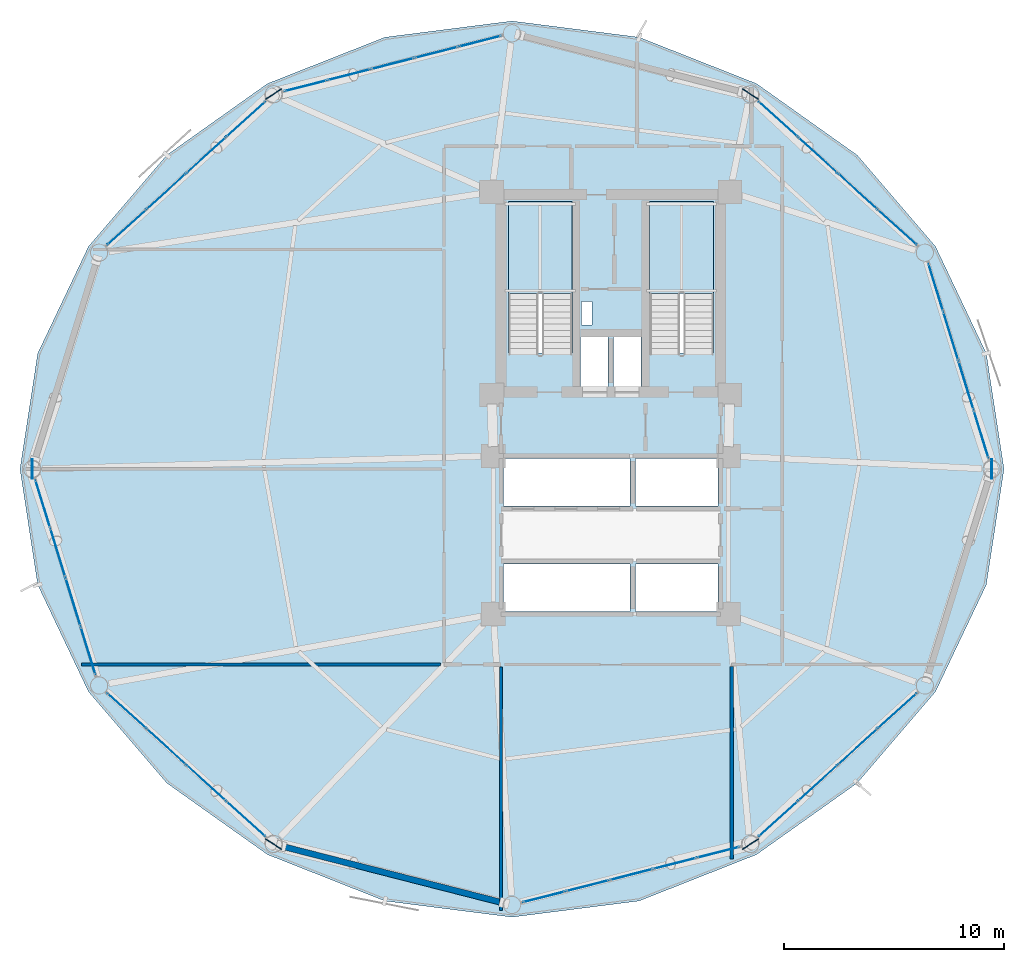
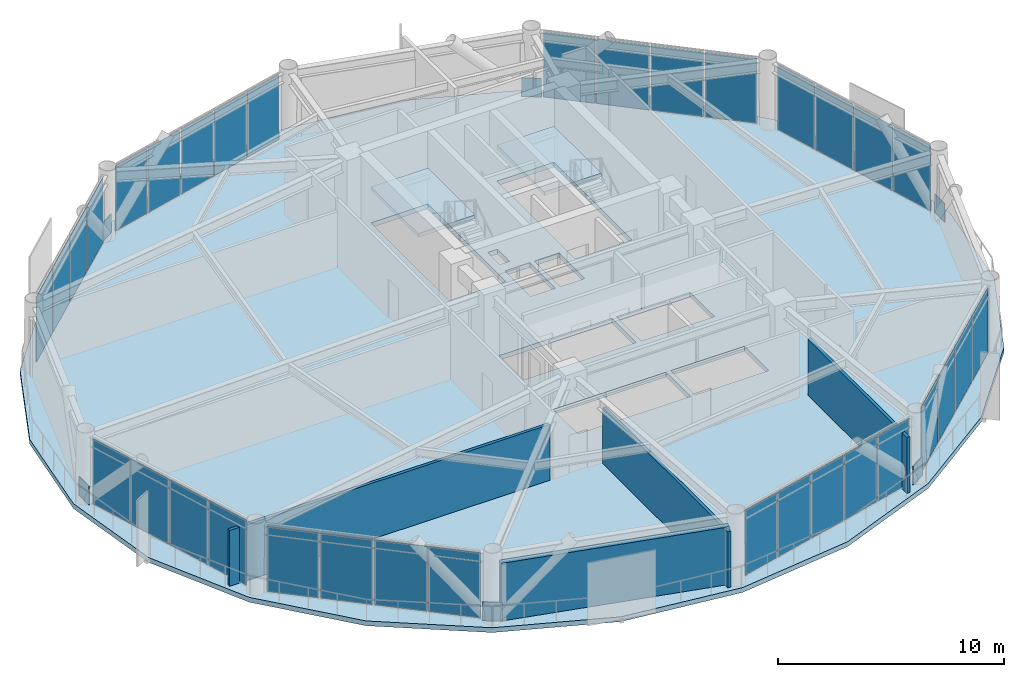
# One storey, part 20 of 26: 40 plates, 4 walls, 3 slabs, 10 elements without a shape of their own.
"""IFC4 building model written with IfcOpenShell, lengths in metres."""

from ifc_helpers import new_model, si_unit, direction, frame, frame_2d, origin, origin_2d, place, context, subcontext, project, spatial, polyline, rectangle, outline, extrude, source, transform, mapped, material, layer, layer_set, type_object, type_shapes, element, aggregate, save


model = new_model("IFC4")

# Units and contexts
model_context = context("Model", 3, precision=1e-05, world=origin(), true_north=direction((0.0, 1.0)))
body_context = subcontext(model_context, "Body", "Model", "MODEL_VIEW")
ifc_project = project(units=[si_unit("LENGTHUNIT", "METRE"), si_unit("AREAUNIT", "SQUARE_METRE"), si_unit("VOLUMEUNIT", "CUBIC_METRE"), si_unit("PLANEANGLEUNIT", "RADIAN"), si_unit("MASSUNIT", "GRAM", prefix="KILO")], contexts=[model_context])

# Site, building, storey
site_placement = place(None, origin())
site = spatial("IfcSite", under=ifc_project, at=site_placement, CompositionType="ELEMENT")
building_placement = place(site_placement, origin())
building = spatial("IfcBuilding", under=site, at=building_placement, Name="Varnakorn Sky Granary", CompositionType="ELEMENT")
storey_placement = place(building_placement, frame((0.0, 0.0, 87.60009765625)))
storey = spatial("IfcBuildingStorey", under=building, at=storey_placement, Name="L21", CompositionType="ELEMENT", Elevation=87.60009765625)

# Plates
ifc_material_1 = material(Name="Steel S460M", Category="steel")
ifc_layer_1 = layer(ifc_material_1, 0.0400390625, Name="Steel S460M")
ifc_layer_set_1 = layer_set([ifc_layer_1], Name="Steel S460M")
plate_type_1 = type_object("IfcPlateType", Name="PL-NODE-KN2", PredefinedType="SHEET", material=ifc_layer_set_1)
for number, where, z_axis, x_axis, name in (
    (1, (20.35009765625, 0.0, 0.0), (0.0, 0.0, 1.0), (0.0, 1.0, 0.0), "Diagrid Node Gusset Assembly KN2 L21-1"),
    (2, (9.357421875, 17.07373046875, 0.0), (0.0, 0.0, 1.0), (-0.843831169511, 0.536608756322, 0.0), "Diagrid Node Gusset Assembly KN2 L21-3"),
    (3, (-12.357421875, 17.07373046875, 0.0), (0.0, 0.0, 1.0), (-0.843831169511, -0.536608756322, 0.0), "Diagrid Node Gusset Assembly KN2 L21-5"),
    (4, (-23.35009765625, 0.0, 0.0), (0.0, 0.0, 1.0), (0.0, -1.0, 0.0), "Diagrid Node Gusset Assembly KN2 L21-7"),
    (5, (-12.357421875, -17.07373046875, 0.0), (0.0, 0.0, 1.0), (0.843831169511, -0.536608756322, 0.0), "Diagrid Node Gusset Assembly KN2 L21-9"),
    (6, (9.357421875, -17.07373046875, 0.0), (0.0, 0.0, 1.0), (0.843831169511, 0.536608756322, 0.0), "Diagrid Node Gusset Assembly KN2 L21-11"),
):
    element("IfcPlate", number, at=place(storey_placement, frame(where, z_axis=z_axis, x_axis=x_axis)), inside=storey, type_object=plate_type_1, Name=name, PredefinedType="SHEET", context=body_context, shape_type="SweptSolid", body=[
        extrude(rectangle(XDim=0.8798828125, YDim=0.0400390625, at=origin_2d()), origin(), (0.0, 0.0, 1.0), 1.0),
    ])

# Stair, slab
ifc_material_2 = material(Name="Concrete C40/50", Category="concrete")
stair_type = type_object("IfcStairType", Name="ST-MAIN-ASSEMBLY", PredefinedType="HALF_TURN_STAIR", material=ifc_material_2)
stair_1_placement = place(storey_placement, origin())
stair_1 = element("IfcStair", 7, at=stair_1_placement, inside=storey, type_object=stair_type, Name="L21 Protected Exit Stair ST-1", PredefinedType="HALF_TURN_STAIR")
ifc_layer_2 = layer(ifc_material_2, 0.199951171875, Name="Concrete C40/50")
ifc_layer_set_2 = layer_set([ifc_layer_2], Name="Concrete C40/50")
slab_type_1 = type_object("IfcSlabType", Name="ST-MAIN-LAND", PredefinedType="LANDING", material=ifc_layer_set_2)
slab_1_placement = place(storey_placement, frame((0.0, 0.0, 1.75)))
slab_1 = element("IfcSlab", 8, at=slab_1_placement, type_object=slab_type_1, Name="ST-1 landing 1", PredefinedType="LANDING", context=body_context, shape_type="SweptSolid", body=[
    extrude(outline(polyline([(1.239990234375, 8.0), (1.239990234375, 12.179931640625), (-1.669921875, 12.179931640625), (-1.669921875, 8.0), (1.239990234375, 8.0)])), origin(), (0.0, 0.0, 1.0), 0.199951171875),
])
aggregate(stair_1, [slab_1])

stair_2_placement = place(storey_placement, origin())
stair_2 = element("IfcStair", 9, at=stair_2_placement, inside=storey, type_object=stair_type, Name="L21 Protected Exit Stair ST-2", PredefinedType="HALF_TURN_STAIR")
slab_2_placement = place(storey_placement, frame((0.0, 0.0, 1.75)))
slab_2 = element("IfcSlab", 10, at=slab_2_placement, type_object=slab_type_1, Name="ST-2 landing 1", PredefinedType="LANDING", context=body_context, shape_type="SweptSolid", body=[
    extrude(outline(polyline([(7.679931640625, 8.0), (7.679931640625, 12.179931640625), (4.77001953125, 12.179931640625), (4.77001953125, 8.0), (7.679931640625, 8.0)])), origin(), (0.0, 0.0, 1.0), 0.199951171875),
])
aggregate(stair_2, [slab_2])

# Slab
ifc_material_3 = material(Name="Concrete C50/60", Category="concrete")
ifc_layer_3 = layer(ifc_material_3, 0.260009765625, Name="Concrete C50/60")
ifc_layer_set_3 = layer_set([ifc_layer_3], Name="Concrete C50/60")
slab_type_2 = type_object("IfcSlabType", Name="ST-SL-TWR-260", PredefinedType="FLOOR", material=ifc_layer_set_3)
slab_3_placement = place(storey_placement, frame((0.0, 0.0, -0.260009765625)))
element("IfcSlab", 11, at=slab_3_placement, inside=storey, type_object=slab_type_2, Name="Level L21 Structural Floor Slab", PredefinedType="FLOOR", context=body_context, shape_type="SweptSolid", body=[
    extrude(outline(polyline([(20.89990234375, 0.0), (20.09326171875, 5.268310546875), (17.781982421875, 10.132568359375), (14.2119140625, 14.297607421875), (9.632568359375, 17.550048828125), (4.285888671875, 19.661376953125), (-1.5, 20.39990234375), (-7.285888671875, 19.661376953125), (-12.632568359375, 17.550048828125), (-17.2119140625, 14.297607421875), (-20.781982421875, 10.132568359375), (-23.09326171875, 5.268310546875), (-23.89990234375, 0.0), (-23.09326171875, -5.268310546875), (-20.781982421875, -10.132568359375), (-17.2119140625, -14.297607421875), (-12.632568359375, -17.550048828125), (-7.285888671875, -19.661376953125), (-1.5, -20.39990234375), (4.285888671875, -19.661376953125), (9.632568359375, -17.550048828125), (14.2119140625, -14.297607421875), (17.781982421875, -10.132568359375), (20.09326171875, -5.268310546875), (20.89990234375, 0.0)]), holes=[polyline([(1.239990234375, 5.27490234375), (1.239990234375, 12.179931640625), (-1.669921875, 12.179931640625), (-1.669921875, 5.27490234375), (1.239990234375, 5.27490234375)]), polyline([(7.679931640625, 5.27490234375), (7.679931640625, 12.179931640625), (4.77001953125, 12.179931640625), (4.77001953125, 5.27490234375), (7.679931640625, 5.27490234375)]), polyline([(1.659912109375, 6.550048828125), (2.14990234375, 6.550048828125), (2.14990234375, 7.6201171875), (1.659912109375, 7.6201171875), (1.659912109375, 6.550048828125)]), polyline([(1.6201171875, 3.739990234375), (2.8798828125, 3.739990234375), (2.8798828125, 6.010009765625), (1.6201171875, 6.010009765625), (1.6201171875, 3.739990234375)]), polyline([(3.1201171875, 3.739990234375), (4.3798828125, 3.739990234375), (4.3798828125, 6.010009765625), (3.1201171875, 6.010009765625), (3.1201171875, 3.739990234375)]), polyline([(-1.8798828125, -1.679931640625), (3.8798828125, -1.679931640625), (3.8798828125, 0.47998046875), (-1.8798828125, 0.47998046875), (-1.8798828125, -1.679931640625)]), polyline([(4.1201171875, -1.679931640625), (7.8798828125, -1.679931640625), (7.8798828125, 0.47998046875), (4.1201171875, 0.47998046875), (4.1201171875, -1.679931640625)]), polyline([(-1.8798828125, -6.47998046875), (3.8798828125, -6.47998046875), (3.8798828125, -4.320068359375), (-1.8798828125, -4.320068359375), (-1.8798828125, -6.47998046875)]), polyline([(4.1201171875, -6.47998046875), (7.8798828125, -6.47998046875), (7.8798828125, -4.320068359375), (4.1201171875, -4.320068359375), (4.1201171875, -6.47998046875)])]), origin(), (0.0, 0.0, 1.0), 0.260009765625),
])

# Curtain wall, plates
ifc_material_4 = material(Name="Anodised Bronze Aluminium Alloy 6063-T6", Category="aluminium")
ifc_layer_4 = layer(ifc_material_4, 0.18994140625, Name="Anodised Bronze Aluminium Alloy 6063-T6")
ifc_layer_set_4 = layer_set([ifc_layer_4], Name="Anodised Bronze Aluminium Alloy 6063-T6")
curtain_wall_type = type_object("IfcCurtainWallType", Name="CW-FRM-1", PredefinedType="USERDEFINED", material=ifc_layer_set_4)
curtain_wall_1_placement = place(storey_placement, origin())
curtain_wall_1 = element("IfcCurtainWall", 12, at=curtain_wall_1_placement, inside=storey, type_object=curtain_wall_type, Name="Unitised Curtain Wall CW3 CW-L21-B01", ObjectType="CURTAIN WALL", PredefinedType="USERDEFINED")
ifc_material_5 = material(Name="Low-E Tinted Laminated Glass", Category="glass")
ifc_layer_5 = layer(ifc_material_5, 0.028076171875, Name="Low-E Tinted Laminated Glass")
ifc_layer_set_5 = layer_set([ifc_layer_5], Name="Low-E Tinted Laminated Glass")
plate_type_2 = type_object("IfcPlateType", Name="CW-FRM-1-PNL", PredefinedType="CURTAIN_PANEL")
shared_shape_1 = source(origin(), body_context, "Body", "SweptSolid", [
    extrude(rectangle(XDim=2.240966796875, YDim=0.028076171875, at=origin_2d()), origin(), (0.0, 0.0, 1.0), 3.5),
])
plate_1_placement = place(storey_placement, frame((17.794677734375, 8.2744140625, 0.06982421875), z_axis=(0.0, 0.0, 1.0), x_axis=(0.295068917394, -0.955475972481, 0.0)))
plate_1 = element("IfcPlate", 13, at=plate_1_placement, type_object=plate_type_2, material=ifc_layer_set_5, Name="CW3 vision glazing unit 1.1", PredefinedType="CURTAIN_PANEL", context=body_context, shape_type="MappedRepresentation", body=[
    mapped(shared_shape_1, transform((0.0, 0.0, 0.0), x_axis=(1.0, 0.0, 0.0), y_axis=(0.0, 1.0, 0.0), z_axis=(0.0, 0.0, 1.0), scale=1.0)),
])
ifc_material_6 = material(Name="Opaque Insulated Aluminium Shadow-Box Unit", Category="aluminium")
ifc_layer_6 = layer(ifc_material_6, 0.028076171875, Name="Opaque Insulated Aluminium Shadow-Box Unit")
ifc_layer_set_6 = layer_set([ifc_layer_6], Name="Opaque Insulated Aluminium Shadow-Box Unit")
plate_2_placement = place(storey_placement, frame((19.861083984375, 1.583251953125, 0.06982421875), z_axis=(0.0, 0.0, 1.0), x_axis=(0.295068917394, -0.955475972481, 0.0)))
plate_2 = element("IfcPlate", 14, at=plate_2_placement, type_object=plate_type_2, material=ifc_layer_set_6, Name="CW3 opaque insulated shadow-box unit 4.1", PredefinedType="CURTAIN_PANEL", context=body_context, shape_type="MappedRepresentation", body=[
    mapped(shared_shape_1, transform((0.0, 0.0, 0.0), x_axis=(1.0, 0.0, 0.0), y_axis=(0.0, 1.0, 0.0), z_axis=(0.0, 0.0, 1.0), scale=1.0)),
])

curtain_wall_2_placement = place(storey_placement, origin())
curtain_wall_2 = element("IfcCurtainWall", 15, at=curtain_wall_2_placement, inside=storey, type_object=curtain_wall_type, Name="Unitised Curtain Wall CW3 CW-L21-B07", ObjectType="CURTAIN WALL", PredefinedType="USERDEFINED")
plate_3_placement = place(storey_placement, frame((-20.794677734375, -8.2744140625, 0.06982421875), z_axis=(0.0, 0.0, 1.0), x_axis=(-0.295068917394, 0.955475972481, 0.0)))
plate_3 = element("IfcPlate", 16, at=plate_3_placement, type_object=plate_type_2, material=ifc_layer_set_5, Name="CW3 vision glazing unit 1.1", PredefinedType="CURTAIN_PANEL", context=body_context, shape_type="MappedRepresentation", body=[
    mapped(shared_shape_1, transform((0.0, 0.0, 0.0), x_axis=(1.0, 0.0, 0.0), y_axis=(0.0, 1.0, 0.0), z_axis=(0.0, 0.0, 1.0), scale=1.0)),
])
plate_4_placement = place(storey_placement, frame((-22.861083984375, -1.583251953125, 0.06982421875), z_axis=(0.0, 0.0, 1.0), x_axis=(-0.295068917394, 0.955475972481, 0.0)))
plate_4 = element("IfcPlate", 17, at=plate_4_placement, type_object=plate_type_2, material=ifc_layer_set_6, Name="CW3 opaque insulated shadow-box unit 4.1", PredefinedType="CURTAIN_PANEL", context=body_context, shape_type="MappedRepresentation", body=[
    mapped(shared_shape_1, transform((0.0, 0.0, 0.0), x_axis=(1.0, 0.0, 0.0), y_axis=(0.0, 1.0, 0.0), z_axis=(0.0, 0.0, 1.0), scale=1.0)),
])

# Plate
shared_shape_2 = source(origin(), body_context, "Body", "SweptSolid", [
    extrude(rectangle(XDim=2.27587890625, YDim=0.028076171875, at=origin_2d()), origin(), (0.0, 0.0, 1.0), 3.5),
])
plate_5_placement = place(storey_placement, frame((18.481689453125, 6.049560546875, 0.06982421875), z_axis=(0.0, 0.0, 1.0), x_axis=(0.295068917394, -0.955475972481, 0.0)))
plate_5 = element("IfcPlate", 18, at=plate_5_placement, type_object=plate_type_2, material=ifc_layer_set_5, Name="CW3 vision glazing unit 2.1", PredefinedType="CURTAIN_PANEL", context=body_context, shape_type="MappedRepresentation", body=[
    mapped(shared_shape_2, transform((0.0, 0.0, 0.0), x_axis=(1.0, 0.0, 0.0), y_axis=(0.0, 1.0, 0.0), z_axis=(0.0, 0.0, 1.0), scale=1.0)),
])

plate_6_placement = place(storey_placement, frame((19.174072265625, 3.80810546875, 0.06982421875), z_axis=(0.0, 0.0, 1.0), x_axis=(0.295068917394, -0.955475972481, 0.0)))
plate_6 = element("IfcPlate", 19, at=plate_6_placement, type_object=plate_type_2, material=ifc_layer_set_6, Name="CW3 opaque insulated shadow-box unit 3.1", PredefinedType="CURTAIN_PANEL", context=body_context, shape_type="MappedRepresentation", body=[
    mapped(shared_shape_2, transform((0.0, 0.0, 0.0), x_axis=(1.0, 0.0, 0.0), y_axis=(0.0, 1.0, 0.0), z_axis=(0.0, 0.0, 1.0), scale=1.0)),
])

aggregate(curtain_wall_1, [plate_1, plate_5, plate_6, plate_2])

plate_7_placement = place(storey_placement, frame((-21.481689453125, -6.049560546875, 0.06982421875), z_axis=(0.0, 0.0, 1.0), x_axis=(-0.295068917394, 0.955475972481, 0.0)))
plate_7 = element("IfcPlate", 20, at=plate_7_placement, type_object=plate_type_2, material=ifc_layer_set_5, Name="CW3 vision glazing unit 2.1", PredefinedType="CURTAIN_PANEL", context=body_context, shape_type="MappedRepresentation", body=[
    mapped(shared_shape_2, transform((0.0, 0.0, 0.0), x_axis=(1.0, 0.0, 0.0), y_axis=(0.0, 1.0, 0.0), z_axis=(0.0, 0.0, 1.0), scale=1.0)),
])

plate_8_placement = place(storey_placement, frame((-22.174072265625, -3.80810546875, 0.06982421875), z_axis=(0.0, 0.0, 1.0), x_axis=(-0.295068917394, 0.955475972481, 0.0)))
plate_8 = element("IfcPlate", 21, at=plate_8_placement, type_object=plate_type_2, material=ifc_layer_set_6, Name="CW3 opaque insulated shadow-box unit 3.1", PredefinedType="CURTAIN_PANEL", context=body_context, shape_type="MappedRepresentation", body=[
    mapped(shared_shape_2, transform((0.0, 0.0, 0.0), x_axis=(1.0, 0.0, 0.0), y_axis=(0.0, 1.0, 0.0), z_axis=(0.0, 0.0, 1.0), scale=1.0)),
])

aggregate(curtain_wall_2, [plate_3, plate_7, plate_8, plate_4])

# Curtain wall, plates
curtain_wall_3_placement = place(storey_placement, origin())
curtain_wall_3 = element("IfcCurtainWall", 22, at=curtain_wall_3_placement, inside=storey, type_object=curtain_wall_type, Name="Unitised Curtain Wall CW3 CW-L21-B02", ObjectType="CURTAIN WALL", PredefinedType="USERDEFINED")
shared_shape_3 = source(origin(), body_context, "Body", "SweptSolid", [
    extrude(rectangle(XDim=2.345458984375, YDim=0.028076171875, at=origin_2d()), origin(), (0.0, 0.0, 1.0), 3.5),
])
plate_9_placement = place(storey_placement, frame((10.623046875, 15.9248046875, 0.06982421875), z_axis=(0.0, 0.0, 1.0), x_axis=(0.74037845093, -0.672190262797, 0.0)))
plate_9 = element("IfcPlate", 23, at=plate_9_placement, type_object=plate_type_2, material=ifc_layer_set_6, Name="CW3 opaque insulated shadow-box unit 1.1", PredefinedType="CURTAIN_PANEL", context=body_context, shape_type="MappedRepresentation", body=[
    mapped(shared_shape_3, transform((0.0, 0.0, 0.0), x_axis=(1.0, 0.0, 0.0), y_axis=(0.0, 1.0, 0.0), z_axis=(0.0, 0.0, 1.0), scale=1.0)),
])
plate_10_placement = place(storey_placement, frame((16.040283203125, 11.006591796875, 0.06982421875), z_axis=(0.0, 0.0, 1.0), x_axis=(0.74037845093, -0.672190262797, 0.0)))
plate_10 = element("IfcPlate", 24, at=plate_10_placement, type_object=plate_type_2, material=ifc_layer_set_5, Name="CW3 vision glazing unit 4.1", PredefinedType="CURTAIN_PANEL", context=body_context, shape_type="MappedRepresentation", body=[
    mapped(shared_shape_3, transform((0.0, 0.0, 0.0), x_axis=(1.0, 0.0, 0.0), y_axis=(0.0, 1.0, 0.0), z_axis=(0.0, 0.0, 1.0), scale=1.0)),
])

curtain_wall_4_placement = place(storey_placement, origin())
curtain_wall_4 = element("IfcCurtainWall", 25, at=curtain_wall_4_placement, inside=storey, type_object=curtain_wall_type, Name="Unitised Curtain Wall CW3 CW-L21-B05", ObjectType="CURTAIN WALL", PredefinedType="USERDEFINED")
plate_11_placement = place(storey_placement, frame((-19.040283203125, 11.006591796875, 0.06982421875), z_axis=(0.0, 0.0, 1.0), x_axis=(0.74037845093, 0.672190262797, 0.0)))
plate_11 = element("IfcPlate", 26, at=plate_11_placement, type_object=plate_type_2, material=ifc_layer_set_5, Name="CW3 vision glazing unit 1.1", PredefinedType="CURTAIN_PANEL", context=body_context, shape_type="MappedRepresentation", body=[
    mapped(shared_shape_3, transform((0.0, 0.0, 0.0), x_axis=(1.0, 0.0, 0.0), y_axis=(0.0, 1.0, 0.0), z_axis=(0.0, 0.0, 1.0), scale=1.0)),
])
plate_12_placement = place(storey_placement, frame((-13.623046875, 15.9248046875, 0.06982421875), z_axis=(0.0, 0.0, 1.0), x_axis=(0.74037845093, 0.672190262797, 0.0)))
plate_12 = element("IfcPlate", 27, at=plate_12_placement, type_object=plate_type_2, material=ifc_layer_set_6, Name="CW3 opaque insulated shadow-box unit 4.1", PredefinedType="CURTAIN_PANEL", context=body_context, shape_type="MappedRepresentation", body=[
    mapped(shared_shape_3, transform((0.0, 0.0, 0.0), x_axis=(1.0, 0.0, 0.0), y_axis=(0.0, 1.0, 0.0), z_axis=(0.0, 0.0, 1.0), scale=1.0)),
])

curtain_wall_5_placement = place(storey_placement, origin())
curtain_wall_5 = element("IfcCurtainWall", 28, at=curtain_wall_5_placement, inside=storey, type_object=curtain_wall_type, Name="Unitised Curtain Wall CW3 CW-L21-B08", ObjectType="CURTAIN WALL", PredefinedType="USERDEFINED")
plate_13_placement = place(storey_placement, frame((-13.623046875, -15.9248046875, 0.06982421875), z_axis=(0.0, 0.0, 1.0), x_axis=(-0.74037845093, 0.672190262797, 0.0)))
plate_13 = element("IfcPlate", 29, at=plate_13_placement, type_object=plate_type_2, material=ifc_layer_set_6, Name="CW3 opaque insulated shadow-box unit 1.1", PredefinedType="CURTAIN_PANEL", context=body_context, shape_type="MappedRepresentation", body=[
    mapped(shared_shape_3, transform((0.0, 0.0, 0.0), x_axis=(1.0, 0.0, 0.0), y_axis=(0.0, 1.0, 0.0), z_axis=(0.0, 0.0, 1.0), scale=1.0)),
])
plate_14_placement = place(storey_placement, frame((-19.040283203125, -11.006591796875, 0.06982421875), z_axis=(0.0, 0.0, 1.0), x_axis=(-0.74037845093, 0.672190262797, 0.0)))
plate_14 = element("IfcPlate", 30, at=plate_14_placement, type_object=plate_type_2, material=ifc_layer_set_5, Name="CW3 vision glazing unit 4.1", PredefinedType="CURTAIN_PANEL", context=body_context, shape_type="MappedRepresentation", body=[
    mapped(shared_shape_3, transform((0.0, 0.0, 0.0), x_axis=(1.0, 0.0, 0.0), y_axis=(0.0, 1.0, 0.0), z_axis=(0.0, 0.0, 1.0), scale=1.0)),
])

curtain_wall_6_placement = place(storey_placement, origin())
curtain_wall_6 = element("IfcCurtainWall", 31, at=curtain_wall_6_placement, inside=storey, type_object=curtain_wall_type, Name="Unitised Curtain Wall CW3 CW-L21-B11", ObjectType="CURTAIN WALL", PredefinedType="USERDEFINED")
plate_15_placement = place(storey_placement, frame((16.040283203125, -11.006591796875, 0.06982421875), z_axis=(0.0, 0.0, 1.0), x_axis=(-0.74037845093, -0.672190262797, 0.0)))
plate_15 = element("IfcPlate", 32, at=plate_15_placement, type_object=plate_type_2, material=ifc_layer_set_5, Name="CW3 vision glazing unit 1.1", PredefinedType="CURTAIN_PANEL", context=body_context, shape_type="MappedRepresentation", body=[
    mapped(shared_shape_3, transform((0.0, 0.0, 0.0), x_axis=(1.0, 0.0, 0.0), y_axis=(0.0, 1.0, 0.0), z_axis=(0.0, 0.0, 1.0), scale=1.0)),
])
plate_16_placement = place(storey_placement, frame((10.623046875, -15.9248046875, 0.06982421875), z_axis=(0.0, 0.0, 1.0), x_axis=(-0.74037845093, -0.672190262797, 0.0)))
plate_16 = element("IfcPlate", 33, at=plate_16_placement, type_object=plate_type_2, material=ifc_layer_set_6, Name="CW3 opaque insulated shadow-box unit 4.1", PredefinedType="CURTAIN_PANEL", context=body_context, shape_type="MappedRepresentation", body=[
    mapped(shared_shape_3, transform((0.0, 0.0, 0.0), x_axis=(1.0, 0.0, 0.0), y_axis=(0.0, 1.0, 0.0), z_axis=(0.0, 0.0, 1.0), scale=1.0)),
])

# Plate
shared_shape_4 = source(origin(), body_context, "Body", "SweptSolid", [
    extrude(rectangle(XDim=2.380615234375, YDim=0.028076171875, at=origin_2d()), origin(), (0.0, 0.0, 1.0), 3.5),
])
plate_17_placement = place(storey_placement, frame((12.42431640625, 14.289306640625, 0.06982421875), z_axis=(0.0, 0.0, 1.0), x_axis=(0.74037845093, -0.672190262797, 0.0)))
plate_17 = element("IfcPlate", 34, at=plate_17_placement, type_object=plate_type_2, material=ifc_layer_set_6, Name="CW3 opaque insulated shadow-box unit 2.1", PredefinedType="CURTAIN_PANEL", context=body_context, shape_type="MappedRepresentation", body=[
    mapped(shared_shape_4, transform((0.0, 0.0, 0.0), x_axis=(1.0, 0.0, 0.0), y_axis=(0.0, 1.0, 0.0), z_axis=(0.0, 0.0, 1.0), scale=1.0)),
])

plate_18_placement = place(storey_placement, frame((14.23876953125, 12.64208984375, 0.06982421875), z_axis=(0.0, 0.0, 1.0), x_axis=(0.74037845093, -0.672190262797, 0.0)))
plate_18 = element("IfcPlate", 35, at=plate_18_placement, type_object=plate_type_2, material=ifc_layer_set_5, Name="CW3 vision glazing unit 3.1", PredefinedType="CURTAIN_PANEL", context=body_context, shape_type="MappedRepresentation", body=[
    mapped(shared_shape_4, transform((0.0, 0.0, 0.0), x_axis=(1.0, 0.0, 0.0), y_axis=(0.0, 1.0, 0.0), z_axis=(0.0, 0.0, 1.0), scale=1.0)),
])

aggregate(curtain_wall_3, [plate_9, plate_17, plate_18, plate_10])

plate_19_placement = place(storey_placement, frame((-17.23876953125, 12.64208984375, 0.06982421875), z_axis=(0.0, 0.0, 1.0), x_axis=(0.74037845093, 0.672190262797, 0.0)))
plate_19 = element("IfcPlate", 36, at=plate_19_placement, type_object=plate_type_2, material=ifc_layer_set_5, Name="CW3 vision glazing unit 2.1", PredefinedType="CURTAIN_PANEL", context=body_context, shape_type="MappedRepresentation", body=[
    mapped(shared_shape_4, transform((0.0, 0.0, 0.0), x_axis=(1.0, 0.0, 0.0), y_axis=(0.0, 1.0, 0.0), z_axis=(0.0, 0.0, 1.0), scale=1.0)),
])

plate_20_placement = place(storey_placement, frame((-15.42431640625, 14.289306640625, 0.06982421875), z_axis=(0.0, 0.0, 1.0), x_axis=(0.74037845093, 0.672190262797, 0.0)))
plate_20 = element("IfcPlate", 37, at=plate_20_placement, type_object=plate_type_2, material=ifc_layer_set_6, Name="CW3 opaque insulated shadow-box unit 3.1", PredefinedType="CURTAIN_PANEL", context=body_context, shape_type="MappedRepresentation", body=[
    mapped(shared_shape_4, transform((0.0, 0.0, 0.0), x_axis=(1.0, 0.0, 0.0), y_axis=(0.0, 1.0, 0.0), z_axis=(0.0, 0.0, 1.0), scale=1.0)),
])

aggregate(curtain_wall_4, [plate_11, plate_19, plate_20, plate_12])

plate_21_placement = place(storey_placement, frame((-15.42431640625, -14.289306640625, 0.06982421875), z_axis=(0.0, 0.0, 1.0), x_axis=(-0.74037845093, 0.672190262797, 0.0)))
plate_21 = element("IfcPlate", 38, at=plate_21_placement, type_object=plate_type_2, material=ifc_layer_set_6, Name="CW3 opaque insulated shadow-box unit 2.1", PredefinedType="CURTAIN_PANEL", context=body_context, shape_type="MappedRepresentation", body=[
    mapped(shared_shape_4, transform((0.0, 0.0, 0.0), x_axis=(1.0, 0.0, 0.0), y_axis=(0.0, 1.0, 0.0), z_axis=(0.0, 0.0, 1.0), scale=1.0)),
])

plate_22_placement = place(storey_placement, frame((-17.23876953125, -12.64208984375, 0.06982421875), z_axis=(0.0, 0.0, 1.0), x_axis=(-0.74037845093, 0.672190262797, 0.0)))
plate_22 = element("IfcPlate", 39, at=plate_22_placement, type_object=plate_type_2, material=ifc_layer_set_5, Name="CW3 vision glazing unit 3.1", PredefinedType="CURTAIN_PANEL", context=body_context, shape_type="MappedRepresentation", body=[
    mapped(shared_shape_4, transform((0.0, 0.0, 0.0), x_axis=(1.0, 0.0, 0.0), y_axis=(0.0, 1.0, 0.0), z_axis=(0.0, 0.0, 1.0), scale=1.0)),
])

aggregate(curtain_wall_5, [plate_13, plate_21, plate_22, plate_14])

plate_23_placement = place(storey_placement, frame((14.23876953125, -12.64208984375, 0.06982421875), z_axis=(0.0, 0.0, 1.0), x_axis=(-0.74037845093, -0.672190262797, 0.0)))
plate_23 = element("IfcPlate", 40, at=plate_23_placement, type_object=plate_type_2, material=ifc_layer_set_5, Name="CW3 vision glazing unit 2.1", PredefinedType="CURTAIN_PANEL", context=body_context, shape_type="MappedRepresentation", body=[
    mapped(shared_shape_4, transform((0.0, 0.0, 0.0), x_axis=(1.0, 0.0, 0.0), y_axis=(0.0, 1.0, 0.0), z_axis=(0.0, 0.0, 1.0), scale=1.0)),
])

plate_24_placement = place(storey_placement, frame((12.42431640625, -14.289306640625, 0.06982421875), z_axis=(0.0, 0.0, 1.0), x_axis=(-0.74037845093, -0.672190262797, 0.0)))
plate_24 = element("IfcPlate", 41, at=plate_24_placement, type_object=plate_type_2, material=ifc_layer_set_6, Name="CW3 opaque insulated shadow-box unit 3.1", PredefinedType="CURTAIN_PANEL", context=body_context, shape_type="MappedRepresentation", body=[
    mapped(shared_shape_4, transform((0.0, 0.0, 0.0), x_axis=(1.0, 0.0, 0.0), y_axis=(0.0, 1.0, 0.0), z_axis=(0.0, 0.0, 1.0), scale=1.0)),
])

aggregate(curtain_wall_6, [plate_15, plate_23, plate_24, plate_16])

# Curtain wall, plates
curtain_wall_7_placement = place(storey_placement, origin())
curtain_wall_7 = element("IfcCurtainWall", 42, at=curtain_wall_7_placement, inside=storey, type_object=curtain_wall_type, Name="Unitised Curtain Wall CW3 CW-L21-B04", ObjectType="CURTAIN WALL", PredefinedType="USERDEFINED")
shared_shape_5 = source(origin(), body_context, "Body", "SweptSolid", [
    extrude(rectangle(XDim=1.94970703125, YDim=0.028076171875, at=origin_2d()), origin(), (0.0, 0.0, 1.0), 3.5),
])
plate_25_placement = place(storey_placement, frame((-10.893310546875, 17.4482421875, 0.06982421875), z_axis=(0.0, 0.0, 1.0), x_axis=(0.96882943894, 0.247728719051, 0.0)))
plate_25 = element("IfcPlate", 43, at=plate_25_placement, type_object=plate_type_2, material=ifc_layer_set_6, Name="CW3 opaque insulated shadow-box unit 1.1", PredefinedType="CURTAIN_PANEL", context=body_context, shape_type="MappedRepresentation", body=[
    mapped(shared_shape_5, transform((0.0, 0.0, 0.0), x_axis=(1.0, 0.0, 0.0), y_axis=(0.0, 1.0, 0.0), z_axis=(0.0, 0.0, 1.0), scale=1.0)),
])
plate_26_placement = place(storey_placement, frame((-2.96435546875, 19.4755859375, 0.06982421875), z_axis=(0.0, 0.0, 1.0), x_axis=(0.96882943894, 0.247728719051, 0.0)))
plate_26 = element("IfcPlate", 44, at=plate_26_placement, type_object=plate_type_2, material=ifc_layer_set_5, Name="CW3 vision glazing unit 5.1", PredefinedType="CURTAIN_PANEL", context=body_context, shape_type="MappedRepresentation", body=[
    mapped(shared_shape_5, transform((0.0, 0.0, 0.0), x_axis=(1.0, 0.0, 0.0), y_axis=(0.0, 1.0, 0.0), z_axis=(0.0, 0.0, 1.0), scale=1.0)),
])

curtain_wall_8_placement = place(storey_placement, origin())
curtain_wall_8 = element("IfcCurtainWall", 45, at=curtain_wall_8_placement, inside=storey, type_object=curtain_wall_type, Name="Unitised Curtain Wall CW3 CW-L21-B10", ObjectType="CURTAIN WALL", PredefinedType="USERDEFINED")
plate_27_placement = place(storey_placement, frame((7.893310546875, -17.4482421875, 0.06982421875), z_axis=(0.0, 0.0, 1.0), x_axis=(-0.96882943894, -0.247728719051, 0.0)))
plate_27 = element("IfcPlate", 46, at=plate_27_placement, type_object=plate_type_2, material=ifc_layer_set_6, Name="CW3 opaque insulated shadow-box unit 1.1", PredefinedType="CURTAIN_PANEL", context=body_context, shape_type="MappedRepresentation", body=[
    mapped(shared_shape_5, transform((0.0, 0.0, 0.0), x_axis=(1.0, 0.0, 0.0), y_axis=(0.0, 1.0, 0.0), z_axis=(0.0, 0.0, 1.0), scale=1.0)),
])
plate_28_placement = place(storey_placement, frame((-0.03564453125, -19.4755859375, 0.06982421875), z_axis=(0.0, 0.0, 1.0), x_axis=(-0.96882943894, -0.247728719051, 0.0)))
plate_28 = element("IfcPlate", 47, at=plate_28_placement, type_object=plate_type_2, material=ifc_layer_set_5, Name="CW3 vision glazing unit 5.1", PredefinedType="CURTAIN_PANEL", context=body_context, shape_type="MappedRepresentation", body=[
    mapped(shared_shape_5, transform((0.0, 0.0, 0.0), x_axis=(1.0, 0.0, 0.0), y_axis=(0.0, 1.0, 0.0), z_axis=(0.0, 0.0, 1.0), scale=1.0)),
])

# Plate
shared_shape_6 = source(origin(), body_context, "Body", "SweptSolid", [
    extrude(rectangle(XDim=1.98486328125, YDim=0.028076171875, at=origin_2d()), origin(), (0.0, 0.0, 1.0), 3.5),
])
type_shapes(plate_type_2, [shared_shape_1, shared_shape_2, shared_shape_3, shared_shape_4, shared_shape_5, shared_shape_6])
plate_29_placement = place(storey_placement, frame((-8.91943359375, 17.952880859375, 0.06982421875), z_axis=(0.0, 0.0, 1.0), x_axis=(0.96882943894, 0.247728719051, 0.0)))
plate_29 = element("IfcPlate", 48, at=plate_29_placement, type_object=plate_type_2, material=ifc_layer_set_6, Name="CW3 opaque insulated shadow-box unit 2.1", PredefinedType="CURTAIN_PANEL", context=body_context, shape_type="MappedRepresentation", body=[
    mapped(shared_shape_6, transform((0.0, 0.0, 0.0), x_axis=(1.0, 0.0, 0.0), y_axis=(0.0, 1.0, 0.0), z_axis=(0.0, 0.0, 1.0), scale=1.0)),
])

plate_30_placement = place(storey_placement, frame((-6.9287109375, 18.4619140625, 0.06982421875), z_axis=(0.0, 0.0, 1.0), x_axis=(0.96882943894, 0.247728719051, 0.0)))
plate_30 = element("IfcPlate", 49, at=plate_30_placement, type_object=plate_type_2, material=ifc_layer_set_5, Name="CW3 vision glazing unit 3.1", PredefinedType="CURTAIN_PANEL", context=body_context, shape_type="MappedRepresentation", body=[
    mapped(shared_shape_6, transform((0.0, 0.0, 0.0), x_axis=(1.0, 0.0, 0.0), y_axis=(0.0, 1.0, 0.0), z_axis=(0.0, 0.0, 1.0), scale=1.0)),
])

plate_31_placement = place(storey_placement, frame((-4.93798828125, 18.970947265625, 0.06982421875), z_axis=(0.0, 0.0, 1.0), x_axis=(0.96882943894, 0.247728719051, 0.0)))
plate_31 = element("IfcPlate", 50, at=plate_31_placement, type_object=plate_type_2, material=ifc_layer_set_5, Name="CW3 vision glazing unit 4.1", PredefinedType="CURTAIN_PANEL", context=body_context, shape_type="MappedRepresentation", body=[
    mapped(shared_shape_6, transform((0.0, 0.0, 0.0), x_axis=(1.0, 0.0, 0.0), y_axis=(0.0, 1.0, 0.0), z_axis=(0.0, 0.0, 1.0), scale=1.0)),
])

aggregate(curtain_wall_7, [plate_25, plate_29, plate_30, plate_31, plate_26])

plate_32_placement = place(storey_placement, frame((5.91943359375, -17.952880859375, 0.06982421875), z_axis=(0.0, 0.0, 1.0), x_axis=(-0.96882943894, -0.247728719051, 0.0)))
plate_32 = element("IfcPlate", 51, at=plate_32_placement, type_object=plate_type_2, material=ifc_layer_set_6, Name="CW3 opaque insulated shadow-box unit 2.1", PredefinedType="CURTAIN_PANEL", context=body_context, shape_type="MappedRepresentation", body=[
    mapped(shared_shape_6, transform((0.0, 0.0, 0.0), x_axis=(1.0, 0.0, 0.0), y_axis=(0.0, 1.0, 0.0), z_axis=(0.0, 0.0, 1.0), scale=1.0)),
])

plate_33_placement = place(storey_placement, frame((3.9287109375, -18.4619140625, 0.06982421875), z_axis=(0.0, 0.0, 1.0), x_axis=(-0.96882943894, -0.247728719051, 0.0)))
plate_33 = element("IfcPlate", 52, at=plate_33_placement, type_object=plate_type_2, material=ifc_layer_set_5, Name="CW3 vision glazing unit 3.1", PredefinedType="CURTAIN_PANEL", context=body_context, shape_type="MappedRepresentation", body=[
    mapped(shared_shape_6, transform((0.0, 0.0, 0.0), x_axis=(1.0, 0.0, 0.0), y_axis=(0.0, 1.0, 0.0), z_axis=(0.0, 0.0, 1.0), scale=1.0)),
])

plate_34_placement = place(storey_placement, frame((1.93798828125, -18.970947265625, 0.06982421875), z_axis=(0.0, 0.0, 1.0), x_axis=(-0.96882943894, -0.247728719051, 0.0)))
plate_34 = element("IfcPlate", 53, at=plate_34_placement, type_object=plate_type_2, material=ifc_layer_set_5, Name="CW3 vision glazing unit 4.1", PredefinedType="CURTAIN_PANEL", context=body_context, shape_type="MappedRepresentation", body=[
    mapped(shared_shape_6, transform((0.0, 0.0, 0.0), x_axis=(1.0, 0.0, 0.0), y_axis=(0.0, 1.0, 0.0), z_axis=(0.0, 0.0, 1.0), scale=1.0)),
])

aggregate(curtain_wall_8, [plate_27, plate_32, plate_33, plate_34, plate_28])

# Walls
ifc_material_7 = material(Name="Precast concrete C40/50", Category="concrete")
ifc_layer_7 = layer(ifc_material_7, 0.280029296875, Name="Precast concrete C40/50")
ifc_layer_set_7 = layer_set([ifc_layer_7], Name="Precast concrete C40/50")
wall_type_1 = type_object("IfcWallType", Name="WT-EW-CRN-280", PredefinedType="SOLIDWALL", material=ifc_layer_set_7)
wall_1_placement = place(storey_placement, frame((-1.85009765625, -19.760498046875, 0.0), z_axis=(0.0, 0.0, 1.0), x_axis=(-0.968830004607, 0.247726506803, 0.0)))
element("IfcWall", 54, at=wall_1_placement, inside=storey, type_object=wall_type_1, Name="Agritech Insulated Precast Facade Wall L21-P09", PredefinedType="SOLIDWALL", context=body_context, shape_type="SweptSolid", body=[
    extrude(rectangle(XDim=10.484130859375, YDim=0.280029296875, at=frame_2d((5.2421875, 0.0))), origin(), (0.0, 0.0, 1.0), 3.10986328125),
])
ifc_material_8 = material(Name="Gypsum Plasterboard on Steel Stud", Category="steel")
ifc_layer_8 = layer(ifc_material_8, 0.14990234375, Name="Gypsum Plasterboard on Steel Stud")
ifc_layer_set_8 = layer_set([ifc_layer_8], Name="Gypsum Plasterboard on Steel Stud")
wall_type_2 = type_object("IfcWallType", Name="WT-PART-150", PredefinedType="PARTITIONING", material=ifc_layer_set_8)
wall_2_placement = place(storey_placement, frame((-2.0, -9.0, 0.0), z_axis=(0.0, 0.0, 1.0), x_axis=(0.0, -1.0, 0.0)))
element("IfcWall", 55, at=wall_2_placement, inside=storey, type_object=wall_type_2, Name="Interior Partition Wall L21-034", PredefinedType="PARTITIONING", context=body_context, shape_type="SweptSolid", body=[
    extrude(rectangle(XDim=11.095947265625, YDim=0.14990234375, at=frame_2d((5.5478515625, 0.0))), origin(), (0.0, 0.0, 1.0), 3.02197265625),
])
wall_3_placement = place(storey_placement, frame((-21.10400390625, -8.89990234375, 0.0), z_axis=(0.0, 0.0, 1.0), x_axis=(1.0, 0.0, 0.0)))
element("IfcWall", 56, at=wall_3_placement, inside=storey, type_object=wall_type_2, Name="Interior Partition Wall L21-035", PredefinedType="PARTITIONING", context=body_context, shape_type="SweptSolid", body=[
    extrude(rectangle(XDim=16.35400390625, YDim=0.14990234375, at=frame_2d((8.177001953125, 0.0))), origin(), (0.0, 0.0, 1.0), 3.02197265625),
])
wall_4_placement = place(storey_placement, frame((8.5, -8.985107421875, 0.0), z_axis=(0.0, 0.0, 1.0), x_axis=(0.0, -1.0, 0.0)))
element("IfcWall", 57, at=wall_4_placement, inside=storey, type_object=wall_type_2, Name="Interior Partition Wall L21-036", PredefinedType="PARTITIONING", context=body_context, shape_type="SweptSolid", body=[
    extrude(rectangle(XDim=8.7568359375, YDim=0.14990234375, at=frame_2d((4.37841796875, 0.0))), origin(), (0.0, 0.0, 1.0), 3.02197265625),
])

save(model, "model.ifc")
